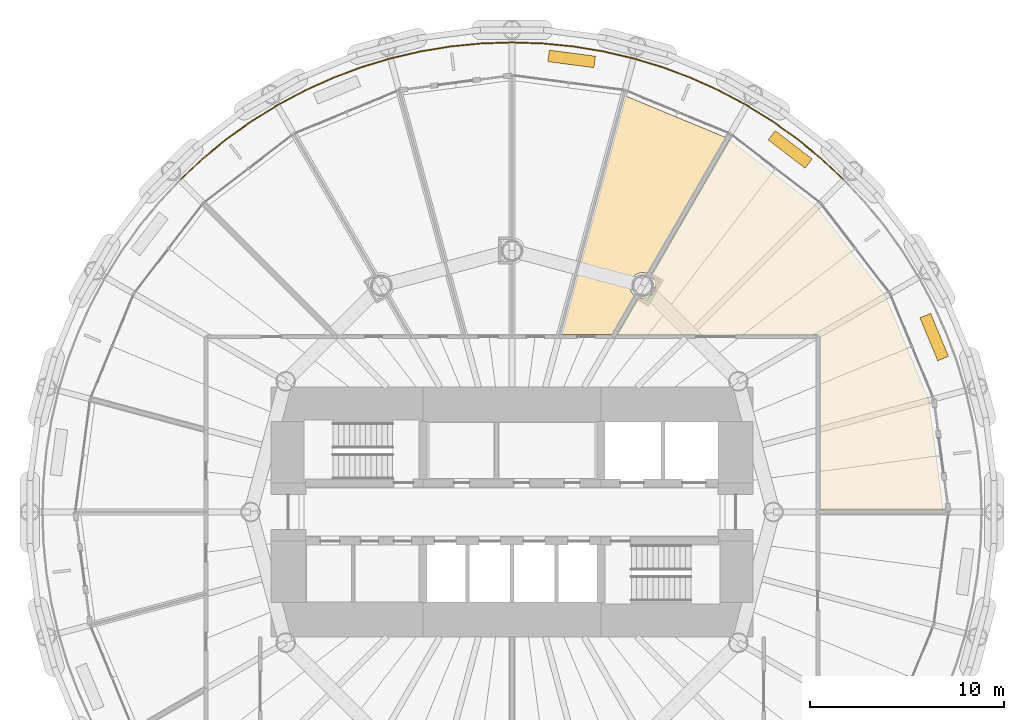
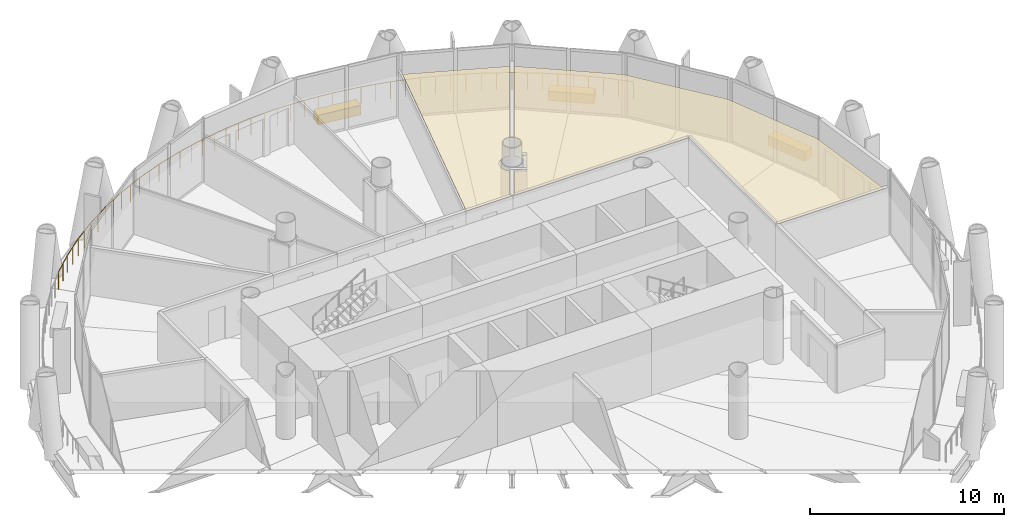
# One storey, part 16 of 16: 5 coverings, 1 railing.
"""IFC4 building model written with IfcOpenShell, lengths in metres."""

from ifc_helpers import new_model, si_unit, direction, frame, origin, origin_2d, place, context, subcontext, project, spatial, polyline, rectangle, circle, outline, extrude, material, layer, layer_set, type_object, element, save


model = new_model("IFC4")

# Units and contexts
model_context = context("Model", 3, precision=1e-05, world=origin(), true_north=direction((0.0, 1.0)))
body_context = subcontext(model_context, "Body", "Model", "MODEL_VIEW")
ifc_project = project(units=[si_unit("LENGTHUNIT", "METRE"), si_unit("AREAUNIT", "SQUARE_METRE"), si_unit("VOLUMEUNIT", "CUBIC_METRE"), si_unit("PLANEANGLEUNIT", "RADIAN"), si_unit("MASSUNIT", "GRAM", prefix="KILO")], contexts=[model_context])

# Site, building, storey
site_placement = place(None, origin())
site = spatial("IfcSite", under=ifc_project, at=site_placement, CompositionType="ELEMENT")
building_placement = place(site_placement, origin())
building = spatial("IfcBuilding", under=site, at=building_placement, Name="Qaws Media Tower", CompositionType="ELEMENT")
storey_placement = place(building_placement, frame((0.0, 0.0, 139.39990234375)))
storey = spatial("IfcBuildingStorey", under=building, at=storey_placement, Name="L31", CompositionType="ELEMENT", Elevation=139.39990234375)

# Railing
ifc_material_1 = material(Name="Stainless steel and glass guard", Category="steel")
railing_type = type_object("IfcRailingType", Name="Balcony guard 1100", PredefinedType="GUARDRAIL", material=ifc_material_1)
railing_placement = place(storey_placement, frame((77.1474609375, 67.1474609375, 0.0)))
element("IfcRailing", 1, at=railing_placement, inside=storey, type_object=railing_type, Name="GR1 balcony guard L31-1", PredefinedType="GUARDRAIL", context=body_context, shape_type="SweptSolid", body=[
    extrude(circle(Radius=0.02392578125, at=origin_2d()), frame((0.0, 0.0, 1.076171875), z_axis=(-0.729882562506, 0.683572560121, 0.0), x_axis=(-0.683572560121, -0.729882562506, 0.0)), (0.0, 0.0, 1.0), 1.5869140625),
    extrude(circle(Radius=0.02392578125, at=origin_2d()), frame((-1.158203125, 1.084716796875, 1.076171875), z_axis=(-0.773079173701, 0.634309538939, 0.0), x_axis=(-0.634309538939, -0.773079173701, 0.0)), (0.0, 0.0, 1.0), 1.5869140625),
    extrude(circle(Radius=0.02392578125, at=origin_2d()), frame((-2.385009765625, 2.09130859375, 1.076171875), z_axis=(-0.812828054715, 0.582503693952, 0.0), x_axis=(-0.582503693952, -0.812828054715, 0.0)), (0.0, 0.0, 1.0), 1.5869140625),
    extrude(circle(Radius=0.02392578125, at=origin_2d()), frame((-3.6748046875, 3.015625, 1.076171875), z_axis=(-0.849171590565, 0.528117041741, 0.0), x_axis=(-0.528117041741, -0.849171590565, 0.0)), (0.0, 0.0, 1.0), 1.5869140625),
    extrude(circle(Radius=0.02392578125, at=origin_2d()), frame((-5.0224609375, 3.853759765625, 1.076171875), z_axis=(-0.881909611874, 0.471418536424, 0.0), x_axis=(-0.471418536424, -0.881909611874, 0.0)), (0.0, 0.0, 1.0), 1.5869140625),
    extrude(circle(Radius=0.02392578125, at=origin_2d()), frame((-6.421875, 4.601806640625, 1.076171875), z_axis=(-0.910908362368, 0.412608719451, 0.0), x_axis=(-0.412608719451, -0.910908362368, 0.0)), (0.0, 0.0, 1.0), 1.5869140625),
    extrude(circle(Radius=0.02392578125, at=origin_2d()), frame((-7.867431640625, 5.256591796875, 1.076171875), z_axis=(-0.935879502762, 0.352320246807, 0.0), x_axis=(-0.352320246807, -0.935879502762, 0.0)), (0.0, 0.0, 1.0), 1.5869140625),
    extrude(circle(Radius=0.02392578125, at=origin_2d()), frame((-9.3525390625, 5.815673828125, 1.076171875), z_axis=(-0.956975219337, 0.290169656538, 0.0), x_axis=(-0.290169656538, -0.956975219337, 0.0)), (0.0, 0.0, 1.0), 1.5869140625),
    extrude(circle(Radius=0.02392578125, at=origin_2d()), frame((-10.87109375, 6.276123046875, 1.076171875), z_axis=(-0.973875243761, 0.227083706128, 0.0), x_axis=(-0.227083706128, -0.973875243761, 0.0)), (0.0, 0.0, 1.0), 1.5869140625),
    extrude(circle(Radius=0.02392578125, at=origin_2d()), frame((-12.41650390625, 6.636474609375, 1.076171875), z_axis=(-0.986638153451, 0.162926836817, 0.0), x_axis=(-0.162926836817, -0.986638153451, 0.0)), (0.0, 0.0, 1.0), 1.5869140625),
    extrude(circle(Radius=0.02392578125, at=origin_2d()), frame((-13.982177734375, 6.89501953125, 1.076171875), z_axis=(-0.995186840651, 0.097995674369, 0.0), x_axis=(-0.097995674369, -0.995186840651, 0.0)), (0.0, 0.0, 1.0), 1.5869140625),
    extrude(circle(Radius=0.02392578125, at=origin_2d()), frame((-15.5615234375, 7.050537109375, 1.076171875), z_axis=(-0.999462860422, 0.032771796378, 0.0), x_axis=(-0.032771796378, -0.999462860422, 0.0)), (0.0, 0.0, 1.0), 1.586669921875),
    extrude(circle(Radius=0.02392578125, at=origin_2d()), frame((-17.1474609375, 7.1025390625, 1.076171875), z_axis=(-0.999462860422, -0.032771796378, 0.0), x_axis=(0.032771796378, -0.999462860422, 0.0)), (0.0, 0.0, 1.0), 1.586669921875),
    extrude(circle(Radius=0.02392578125, at=origin_2d()), frame((-18.7333984375, 7.050537109375, 1.076171875), z_axis=(-0.995186840651, -0.097995674369, 0.0), x_axis=(0.097995674369, -0.995186840651, 0.0)), (0.0, 0.0, 1.0), 1.5869140625),
    extrude(circle(Radius=0.02392578125, at=origin_2d()), frame((-20.312744140625, 6.89501953125, 1.076171875), z_axis=(-0.986638153451, -0.162926836817, 0.0), x_axis=(0.162926836817, -0.986638153451, 0.0)), (0.0, 0.0, 1.0), 1.5869140625),
    extrude(circle(Radius=0.02392578125, at=origin_2d()), frame((-21.87841796875, 6.636474609375, 1.076171875), z_axis=(-0.973875243761, -0.227083706128, 0.0), x_axis=(0.227083706128, -0.973875243761, 0.0)), (0.0, 0.0, 1.0), 1.5869140625),
    extrude(circle(Radius=0.02392578125, at=origin_2d()), frame((-23.423828125, 6.276123046875, 1.076171875), z_axis=(-0.956975219337, -0.290169656538, 0.0), x_axis=(0.290169656538, -0.956975219337, 0.0)), (0.0, 0.0, 1.0), 1.5869140625),
    extrude(circle(Radius=0.02392578125, at=origin_2d()), frame((-24.9423828125, 5.815673828125, 1.076171875), z_axis=(-0.935879502762, -0.352320246807, 0.0), x_axis=(0.352320246807, -0.935879502762, 0.0)), (0.0, 0.0, 1.0), 1.5869140625),
    extrude(circle(Radius=0.02392578125, at=origin_2d()), frame((-26.427490234375, 5.256591796875, 1.076171875), z_axis=(-0.910908362368, -0.412608719451, 0.0), x_axis=(0.412608719451, -0.910908362368, 0.0)), (0.0, 0.0, 1.0), 1.5869140625),
    extrude(circle(Radius=0.02392578125, at=origin_2d()), frame((-27.873046875, 4.601806640625, 1.076171875), z_axis=(-0.881909611874, -0.471418536424, 0.0), x_axis=(0.471418536424, -0.881909611874, 0.0)), (0.0, 0.0, 1.0), 1.5869140625),
    extrude(circle(Radius=0.02392578125, at=origin_2d()), frame((-29.2724609375, 3.853759765625, 1.076171875), z_axis=(-0.849171590565, -0.528117041741, 0.0), x_axis=(0.528117041741, -0.849171590565, 0.0)), (0.0, 0.0, 1.0), 1.5869140625),
    extrude(circle(Radius=0.02392578125, at=origin_2d()), frame((-30.6201171875, 3.015625, 1.076171875), z_axis=(-0.812828054715, -0.582503693952, 0.0), x_axis=(0.582503693952, -0.812828054715, 0.0)), (0.0, 0.0, 1.0), 1.5869140625),
    extrude(circle(Radius=0.02392578125, at=origin_2d()), frame((-31.909912109375, 2.09130859375, 1.076171875), z_axis=(-0.773079173701, -0.634309538939, 0.0), x_axis=(0.634309538939, -0.773079173701, 0.0)), (0.0, 0.0, 1.0), 1.5869140625),
    extrude(circle(Radius=0.02392578125, at=origin_2d()), frame((-33.13671875, 1.084716796875, 1.076171875), z_axis=(-0.729882562506, -0.683572560121, 0.0), x_axis=(0.683572560121, -0.729882562506, 0.0)), (0.0, 0.0, 1.0), 1.5869140625),
    extrude(circle(Radius=0.02099609375, at=origin_2d()), origin(), (0.0, 0.0, 1.0), 1.052001953125),
    extrude(circle(Radius=0.02099609375, at=origin_2d()), frame((-0.5791015625, 0.54248046875, 0.0)), (0.0, 0.0, 1.0), 1.052001953125),
    extrude(circle(Radius=0.02099609375, at=origin_2d()), frame((-1.158203125, 1.084716796875, 0.0)), (0.0, 0.0, 1.0), 1.052001953125),
    extrude(circle(Radius=0.02099609375, at=origin_2d()), frame((-1.771484375, 1.587890625, 0.0)), (0.0, 0.0, 1.0), 1.052001953125),
    extrude(circle(Radius=0.02099609375, at=origin_2d()), frame((-2.385009765625, 2.09130859375, 0.0)), (0.0, 0.0, 1.0), 1.052001953125),
    extrude(circle(Radius=0.02099609375, at=origin_2d()), frame((-3.02978515625, 2.553466796875, 0.0)), (0.0, 0.0, 1.0), 1.052001953125),
    extrude(circle(Radius=0.02099609375, at=origin_2d()), frame((-3.6748046875, 3.015625, 0.0)), (0.0, 0.0, 1.0), 1.052001953125),
    extrude(circle(Radius=0.02099609375, at=origin_2d()), frame((-4.3486328125, 3.4345703125, 0.0)), (0.0, 0.0, 1.0), 1.052001953125),
    extrude(circle(Radius=0.02099609375, at=origin_2d()), frame((-5.0224609375, 3.853759765625, 0.0)), (0.0, 0.0, 1.0), 1.052001953125),
    extrude(circle(Radius=0.02099609375, at=origin_2d()), frame((-5.72216796875, 4.227783203125, 0.0)), (0.0, 0.0, 1.0), 1.052001953125),
    extrude(circle(Radius=0.02099609375, at=origin_2d()), frame((-6.421875, 4.601806640625, 0.0)), (0.0, 0.0, 1.0), 1.052001953125),
    extrude(circle(Radius=0.02099609375, at=origin_2d()), frame((-7.14453125, 4.92919921875, 0.0)), (0.0, 0.0, 1.0), 1.052001953125),
    extrude(circle(Radius=0.02099609375, at=origin_2d()), frame((-7.867431640625, 5.256591796875, 0.0)), (0.0, 0.0, 1.0), 1.052001953125),
    extrude(circle(Radius=0.02099609375, at=origin_2d()), frame((-8.60986328125, 5.5361328125, 0.0)), (0.0, 0.0, 1.0), 1.052001953125),
    extrude(circle(Radius=0.02099609375, at=origin_2d()), frame((-9.3525390625, 5.815673828125, 0.0)), (0.0, 0.0, 1.0), 1.052001953125),
    extrude(circle(Radius=0.02099609375, at=origin_2d()), frame((-10.11181640625, 6.0458984375, 0.0)), (0.0, 0.0, 1.0), 1.052001953125),
    extrude(circle(Radius=0.02099609375, at=origin_2d()), frame((-10.87109375, 6.276123046875, 0.0)), (0.0, 0.0, 1.0), 1.052001953125),
    extrude(circle(Radius=0.02099609375, at=origin_2d()), frame((-11.643798828125, 6.456298828125, 0.0)), (0.0, 0.0, 1.0), 1.052001953125),
    extrude(circle(Radius=0.02099609375, at=origin_2d()), frame((-12.41650390625, 6.636474609375, 0.0)), (0.0, 0.0, 1.0), 1.052001953125),
    extrude(circle(Radius=0.02099609375, at=origin_2d()), frame((-13.19921875, 6.765625, 0.0)), (0.0, 0.0, 1.0), 1.052001953125),
    extrude(circle(Radius=0.02099609375, at=origin_2d()), frame((-13.982177734375, 6.89501953125, 0.0)), (0.0, 0.0, 1.0), 1.052001953125),
    extrude(circle(Radius=0.02099609375, at=origin_2d()), frame((-14.77197265625, 6.97265625, 0.0)), (0.0, 0.0, 1.0), 1.052001953125),
    extrude(circle(Radius=0.02099609375, at=origin_2d()), frame((-15.5615234375, 7.050537109375, 0.0)), (0.0, 0.0, 1.0), 1.052001953125),
    extrude(circle(Radius=0.02099609375, at=origin_2d()), frame((-16.3544921875, 7.07666015625, 0.0)), (0.0, 0.0, 1.0), 1.052001953125),
    extrude(circle(Radius=0.02099609375, at=origin_2d()), frame((-17.1474609375, 7.1025390625, 0.0)), (0.0, 0.0, 1.0), 1.052001953125),
    extrude(circle(Radius=0.02099609375, at=origin_2d()), frame((-17.9404296875, 7.07666015625, 0.0)), (0.0, 0.0, 1.0), 1.052001953125),
    extrude(circle(Radius=0.02099609375, at=origin_2d()), frame((-18.7333984375, 7.050537109375, 0.0)), (0.0, 0.0, 1.0), 1.052001953125),
    extrude(circle(Radius=0.02099609375, at=origin_2d()), frame((-19.52294921875, 6.97265625, 0.0)), (0.0, 0.0, 1.0), 1.052001953125),
    extrude(circle(Radius=0.02099609375, at=origin_2d()), frame((-20.312744140625, 6.89501953125, 0.0)), (0.0, 0.0, 1.0), 1.052001953125),
    extrude(circle(Radius=0.02099609375, at=origin_2d()), frame((-21.095703125, 6.765625, 0.0)), (0.0, 0.0, 1.0), 1.052001953125),
    extrude(circle(Radius=0.02099609375, at=origin_2d()), frame((-21.87841796875, 6.636474609375, 0.0)), (0.0, 0.0, 1.0), 1.052001953125),
    extrude(circle(Radius=0.02099609375, at=origin_2d()), frame((-22.651123046875, 6.456298828125, 0.0)), (0.0, 0.0, 1.0), 1.052001953125),
    extrude(circle(Radius=0.02099609375, at=origin_2d()), frame((-23.423828125, 6.276123046875, 0.0)), (0.0, 0.0, 1.0), 1.052001953125),
    extrude(circle(Radius=0.02099609375, at=origin_2d()), frame((-24.18310546875, 6.0458984375, 0.0)), (0.0, 0.0, 1.0), 1.052001953125),
    extrude(circle(Radius=0.02099609375, at=origin_2d()), frame((-24.9423828125, 5.815673828125, 0.0)), (0.0, 0.0, 1.0), 1.052001953125),
    extrude(circle(Radius=0.02099609375, at=origin_2d()), frame((-25.68505859375, 5.5361328125, 0.0)), (0.0, 0.0, 1.0), 1.052001953125),
    extrude(circle(Radius=0.02099609375, at=origin_2d()), frame((-26.427490234375, 5.256591796875, 0.0)), (0.0, 0.0, 1.0), 1.052001953125),
    extrude(circle(Radius=0.02099609375, at=origin_2d()), frame((-27.150390625, 4.92919921875, 0.0)), (0.0, 0.0, 1.0), 1.052001953125),
    extrude(circle(Radius=0.02099609375, at=origin_2d()), frame((-27.873046875, 4.601806640625, 0.0)), (0.0, 0.0, 1.0), 1.052001953125),
    extrude(circle(Radius=0.02099609375, at=origin_2d()), frame((-28.57275390625, 4.227783203125, 0.0)), (0.0, 0.0, 1.0), 1.052001953125),
    extrude(circle(Radius=0.02099609375, at=origin_2d()), frame((-29.2724609375, 3.853759765625, 0.0)), (0.0, 0.0, 1.0), 1.052001953125),
    extrude(circle(Radius=0.02099609375, at=origin_2d()), frame((-29.9462890625, 3.4345703125, 0.0)), (0.0, 0.0, 1.0), 1.052001953125),
    extrude(circle(Radius=0.02099609375, at=origin_2d()), frame((-30.6201171875, 3.015625, 0.0)), (0.0, 0.0, 1.0), 1.052001953125),
    extrude(circle(Radius=0.02099609375, at=origin_2d()), frame((-31.26513671875, 2.553466796875, 0.0)), (0.0, 0.0, 1.0), 1.052001953125),
    extrude(circle(Radius=0.02099609375, at=origin_2d()), frame((-31.909912109375, 2.09130859375, 0.0)), (0.0, 0.0, 1.0), 1.052001953125),
    extrude(circle(Radius=0.02099609375, at=origin_2d()), frame((-32.5234375, 1.587890625, 0.0)), (0.0, 0.0, 1.0), 1.052001953125),
    extrude(circle(Radius=0.02099609375, at=origin_2d()), frame((-33.13671875, 1.084716796875, 0.0)), (0.0, 0.0, 1.0), 1.052001953125),
    extrude(circle(Radius=0.02099609375, at=origin_2d()), frame((-33.7158203125, 0.54248046875, 0.0)), (0.0, 0.0, 1.0), 1.052001953125),
    extrude(circle(Radius=0.02099609375, at=origin_2d()), frame((-34.294921875, 0.0, 0.0)), (0.0, 0.0, 1.0), 1.052001953125),
])

# Coverings
ifc_material_2 = material(Name="600 x 600 mineral fibre tiles in exposed grid, suspended", Category="mineral fibre")
ifc_layer_1 = layer(ifc_material_2, 0.02001953125)
ifc_layer_set_1 = layer_set([ifc_layer_1], Name="Mineral fibre tile ceiling 20")
covering_type_1 = type_object("IfcCoveringType", Name="Mineral fibre tile ceiling 20", PredefinedType="CEILING", material=ifc_layer_set_1)
covering_1_placement = place(storey_placement, frame((0.0, 0.0, 2.85009765625)))
element("IfcCovering", 2, at=covering_1_placement, inside=storey, type_object=covering_type_1, Name="CL1 ceiling L31-02 Paralegal office", PredefinedType="CEILING", context=body_context, shape_type="SweptSolid", body=[
    extrude(outline(polyline([(75.758056640625, 65.758056640625), (79.299560546875, 61.142578125), (81.52587890625, 55.767822265625), (82.2705078125, 50.112548828125), (75.91259765625, 50.112548828125), (75.91259765625, 59.16259765625), (65.419921875, 59.16259765625), (66.518798828125, 61.06591796875), (66.5771484375, 61.046142578125), (66.662841796875, 61.029052734375), (66.75, 61.023193359375), (66.837158203125, 61.029052734375), (66.9228515625, 61.046142578125), (67.005615234375, 61.07421875), (67.083984375, 61.11279296875), (67.15673828125, 61.161376953125), (67.222412109375, 61.218994140625), (67.280029296875, 61.28466796875), (67.32861328125, 61.357421875), (67.3671875, 61.435791015625), (67.395263671875, 61.5185546875), (67.412353515625, 61.604248046875), (67.41796875, 61.69140625), (67.412353515625, 61.778564453125), (67.395263671875, 61.8642578125), (67.3671875, 61.947021484375), (67.32861328125, 62.025390625), (67.280029296875, 62.097900390625), (67.222412109375, 62.163818359375), (67.176025390625, 62.204345703125), (71.232666015625, 69.23046875), (75.758056640625, 65.758056640625)])), origin(), (0.0, 0.0, 1.0), 0.02001953125),
])
covering_2_placement = place(storey_placement, frame((0.0, 0.0, 2.85009765625)))
element("IfcCovering", 3, at=covering_2_placement, inside=storey, type_object=covering_type_1, Name="CL1 ceiling L31-03 Office", PredefinedType="CEILING", context=body_context, shape_type="SweptSolid", body=[
    extrude(outline(polyline([(71.037841796875, 69.343017578125), (66.981201171875, 62.31689453125), (66.9228515625, 62.336669921875), (66.837158203125, 62.353515625), (66.75, 62.359375), (66.662841796875, 62.353515625), (66.5771484375, 62.336669921875), (66.494384765625, 62.30859375), (66.416015625, 62.269775390625), (66.34326171875, 62.22119140625), (66.277587890625, 62.163818359375), (66.219970703125, 62.097900390625), (66.17138671875, 62.025390625), (66.1328125, 61.947021484375), (66.104736328125, 61.8642578125), (66.087646484375, 61.778564453125), (66.08203125, 61.69140625), (66.087646484375, 61.604248046875), (66.104736328125, 61.5185546875), (66.1328125, 61.435791015625), (66.17138671875, 61.357421875), (66.219970703125, 61.28466796875), (66.277587890625, 61.218994140625), (66.323974609375, 61.178466796875), (65.16015625, 59.16259765625), (62.571533203125, 59.16259765625), (65.872802734375, 71.482421875), (71.037841796875, 69.343017578125)])), origin(), (0.0, 0.0, 1.0), 0.02001953125),
])
ifc_material_3 = material(Name="Precast concrete planter with trailing planting", Category="concrete")
ifc_layer_2 = layer(ifc_material_3, 0.60009765625)
ifc_layer_set_2 = layer_set([ifc_layer_2], Name="Planter 2400x600")
covering_type_2 = type_object("IfcCoveringType", Name="Planter 2400x600", PredefinedType="USERDEFINED", material=ifc_layer_set_2)
for number, where, z_axis, x_axis, name in (
    (4, (81.803466796875, 59.03125, 0.0), (0.0, 0.0, 1.0), (-0.382683432365, 0.923879532511, 0.0), "PL1 balcony planter L31-01"),
    (5, (74.36669921875, 68.72314453125, 0.0), (0.0, 0.0, 1.0), (-0.793353340291, 0.608761429009, 0.0), "PL1 balcony planter L31-02"),
    (6, (63.080322265625, 73.398193359375, 0.0), (0.0, 0.0, 1.0), (-0.991444861374, 0.13052619222, 0.0), "PL1 balcony planter L31-03"),
):
    element("IfcCovering", number, at=place(storey_placement, frame(where, z_axis=z_axis, x_axis=x_axis)), inside=storey, type_object=covering_type_2, Name=name, ObjectType="PLANTER", PredefinedType="USERDEFINED", context=body_context, shape_type="SweptSolid", body=[
        extrude(rectangle(XDim=2.39990234375, YDim=0.60009765625, at=origin_2d()), origin(), (0.0, 0.0, 1.0), 0.60009765625),
    ])

save(model, "model.ifc")
